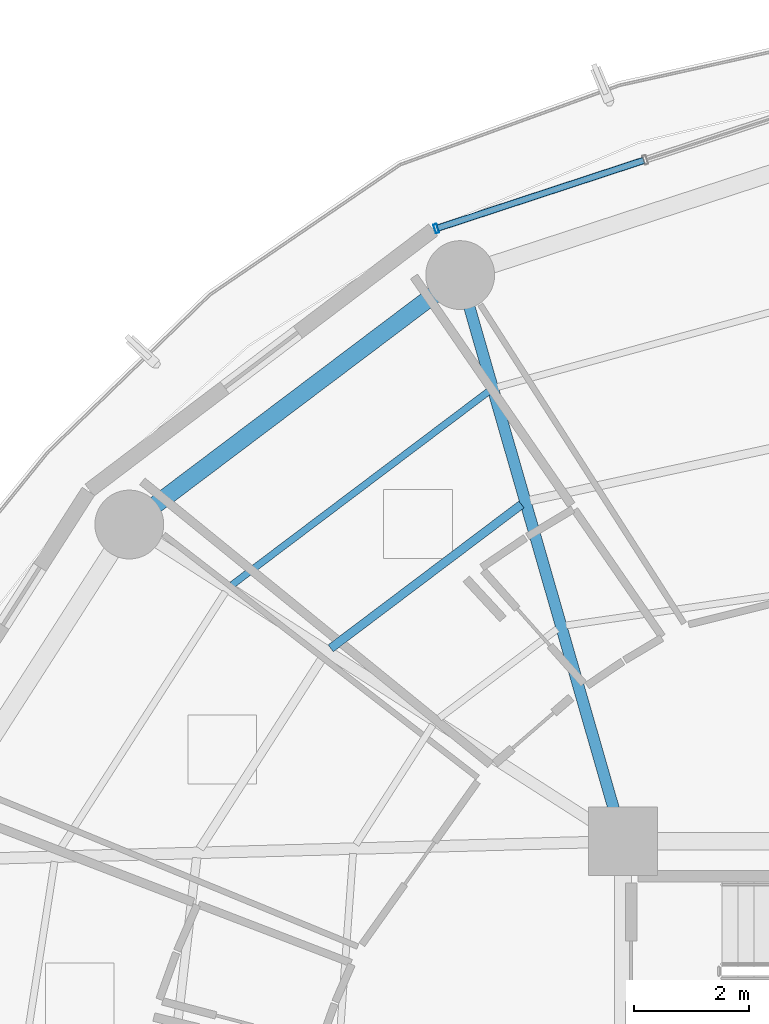
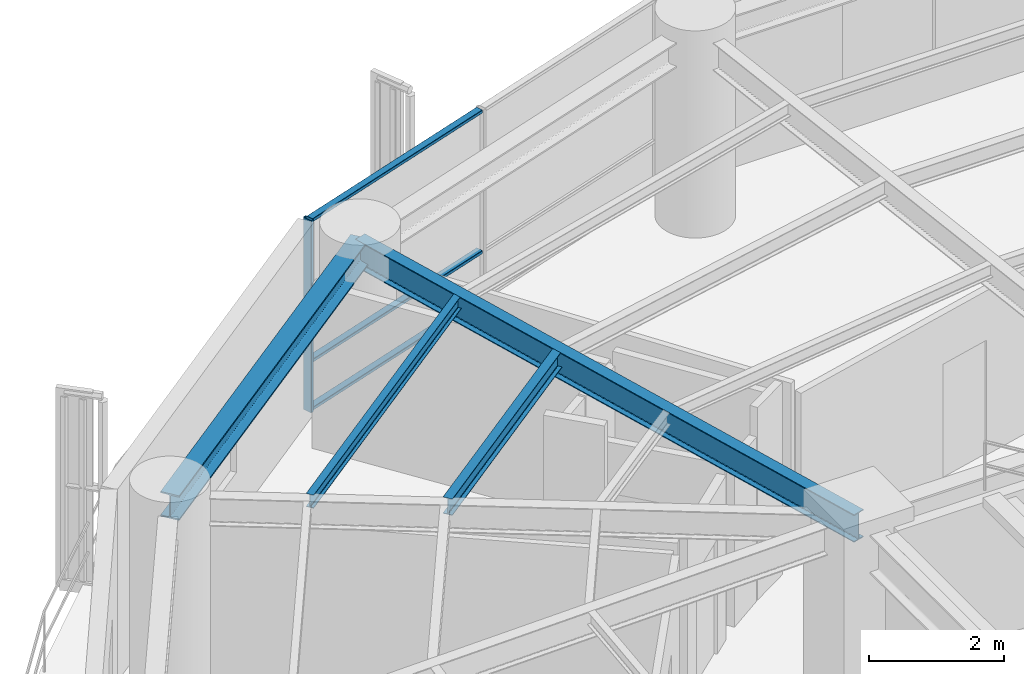
# One storey, part 16 of 27: 4 beams, 4 members, 1 element without a shape of its own.
"""IFC4 building model written with IfcOpenShell, lengths in metres."""

from ifc_helpers import new_model, si_unit, direction, frame, origin, origin_2d, place, context, subcontext, project, spatial, hollow_rectangle, i_section, extrude, material, layer, layer_set, material_profile, profile_set, type_object, element, aggregate, save


model = new_model("IFC4")

# Units and contexts
model_context = context("Model", 3, precision=1e-05, world=origin(), true_north=direction((0.0, 1.0)))
body_context = subcontext(model_context, "Body", "Model", "MODEL_VIEW")
ifc_project = project(units=[si_unit("LENGTHUNIT", "METRE"), si_unit("AREAUNIT", "SQUARE_METRE"), si_unit("VOLUMEUNIT", "CUBIC_METRE"), si_unit("PLANEANGLEUNIT", "RADIAN"), si_unit("MASSUNIT", "GRAM", prefix="KILO")], contexts=[model_context])

# Site, building, storey
site_placement = place(None, origin())
site = spatial("IfcSite", under=ifc_project, at=site_placement, CompositionType="ELEMENT")
building_placement = place(site_placement, origin())
building = spatial("IfcBuilding", under=site, at=building_placement, Name="Kelanora Arch Commons", CompositionType="ELEMENT")
storey_placement = place(building_placement, frame((0.0, 0.0, 165.60009765625)))
storey = spatial("IfcBuildingStorey", under=building, at=storey_placement, Name="L42", CompositionType="ELEMENT", Elevation=165.60009765625)

# Beams
ifc_material_1 = material(Name="Steel S355", Category="steel")
ifc_material_profile_1 = material_profile(ifc_material_1, i_section(OverallWidth=0.14990234375, OverallDepth=0.300048828125, WebThickness=0.007080078125, FlangeThickness=0.0107421875, FilletRadius=0.014892578125, at=origin_2d()), Name="IPE300")
ifc_profile_set_1 = profile_set([ifc_material_profile_1], Name="Steel S355")
beam_type_1 = type_object("IfcBeamType", Name="BM-JST-01", PredefinedType="JOIST", material=ifc_profile_set_1)
beam_1_placement = place(storey_placement, frame((64.22802734375, 70.870849609375, 3.33984375), z_axis=(-0.798463547891, -0.602043156833, 0.0), x_axis=(0.602043156833, -0.798463547891, 0.0)))
element("IfcBeam", 1, at=beam_1_placement, inside=storey, type_object=beam_type_1, Name="Secondary Chord Joist BJB-12 L42", PredefinedType="JOIST", context=body_context, shape_type="SweptSolid", body=[
    extrude(i_section(OverallWidth=0.14990234375, OverallDepth=0.300048828125, WebThickness=0.007080078125, FlangeThickness=0.0107421875, FilletRadius=0.014892578125, at=origin_2d()), origin(), (0.0, 0.0, 1.0), 4.163818359375),
])
ifc_material_profile_2 = material_profile(ifc_material_1, i_section(OverallWidth=0.1201171875, OverallDepth=0.239990234375, WebThickness=0.006103515625, FlangeThickness=0.009765625, FilletRadius=0.014892578125, at=origin_2d()), Name="IPE240")
ifc_profile_set_2 = profile_set([ifc_material_profile_2], Name="Steel S355")
beam_type_2 = type_object("IfcBeamType", Name="BM-JST-02", PredefinedType="JOIST", material=ifc_profile_set_2)
beam_2_placement = place(storey_placement, frame((63.66015625, 72.844970703125, 3.369873046875), z_axis=(-0.798493128577, -0.602003923256, 0.0), x_axis=(0.602003923256, -0.798493128577, 0.0)))
element("IfcBeam", 2, at=beam_2_placement, inside=storey, type_object=beam_type_2, Name="Secondary Chord Joist BJC-12 L42", PredefinedType="JOIST", context=body_context, shape_type="SweptSolid", body=[
    extrude(i_section(OverallWidth=0.1201171875, OverallDepth=0.239990234375, WebThickness=0.006103515625, FlangeThickness=0.009765625, FilletRadius=0.014892578125, at=origin_2d()), origin(), (0.0, 0.0, 1.0), 5.608642578125),
])
ifc_material_profile_3 = material_profile(ifc_material_1, i_section(OverallWidth=0.199951171875, OverallDepth=0.5, WebThickness=0.01025390625, FlangeThickness=0.01611328125, FilletRadius=0.02099609375, at=origin_2d()), Name="IPE500")
ifc_profile_set_3 = profile_set([ifc_material_profile_3], Name="Steel S355")
beam_type_3 = type_object("IfcBeamType", Name="BM-RAD-Z3", PredefinedType="BEAM", material=ifc_profile_set_3)
beam_3_placement = place(storey_placement, frame((66.0, 65.0, 3.239990234375), z_axis=(-0.276525880065, 0.961006471182, 0.0), x_axis=(-0.961006471182, -0.276525880065, 0.0)))
element("IfcBeam", 3, at=beam_3_placement, inside=storey, type_object=beam_type_3, Name="Radial Floor Girder BR-12 L42", PredefinedType="BEAM", context=body_context, shape_type="SweptSolid", body=[
    extrude(i_section(OverallWidth=0.199951171875, OverallDepth=0.5, WebThickness=0.01025390625, FlangeThickness=0.01611328125, FilletRadius=0.02099609375, at=origin_2d()), origin(), (0.0, 0.0, 1.0), 10.2705078125),
])
ifc_material_profile_4 = material_profile(ifc_material_1, i_section(OverallWidth=0.300048828125, OverallDepth=0.449951171875, WebThickness=0.013916015625, FlangeThickness=0.02587890625, FilletRadius=0.027099609375, at=origin_2d()), Name="HEB450")
ifc_profile_set_4 = profile_set([ifc_material_profile_4], Name="Steel S355")
beam_type_4 = type_object("IfcBeamType", Name="BM-SPN-Z3", PredefinedType="SPANDREL", material=ifc_profile_set_4)
beam_4_placement = place(storey_placement, frame((63.159912109375, 74.8701171875, 3.264892578125), z_axis=(-0.798484645564, -0.60201517489, 0.0), x_axis=(0.60201517489, -0.798484645564, 0.0)))
element("IfcBeam", 4, at=beam_4_placement, inside=storey, type_object=beam_type_4, Name="Perimeter Spandrel Beam BS-12 L42", PredefinedType="SPANDREL", context=body_context, shape_type="SweptSolid", body=[
    extrude(i_section(OverallWidth=0.300048828125, OverallDepth=0.449951171875, WebThickness=0.013916015625, FlangeThickness=0.02587890625, FilletRadius=0.027099609375, at=origin_2d()), origin(), (0.0, 0.0, 1.0), 7.223388671875),
])

# Curtain wall, members
ifc_material_2 = material(Name="Terracotta ceramic-fritted low-E glass and aluminium", Category="masonry")
ifc_layer = layer(ifc_material_2, 0.175048828125)
ifc_layer_set = layer_set([ifc_layer], Name="Terracotta ceramic-fritted low-E glass and aluminium")
curtain_wall_type = type_object("IfcCurtainWallType", Name="CW-SYS-02", PredefinedType="NOTDEFINED", material=ifc_layer_set)
curtain_wall_placement = place(storey_placement, origin())
curtain_wall = element("IfcCurtainWall", 5, at=curtain_wall_placement, inside=storey, type_object=curtain_wall_type, Name="Unitised Curtain Wall L42-B05", PredefinedType="NOTDEFINED")
ifc_material_3 = material(Name="Powder-coated aluminium terracotta", Category="masonry")
ifc_material_profile_5 = material_profile(ifc_material_3, hollow_rectangle(XDim=0.159912109375, YDim=0.06005859375, WallThickness=0.0048828125, InnerFilletRadius=0.0048828125, OuterFilletRadius=0.010009765625, at=origin_2d()), Name="CWM160x60")
ifc_profile_set_5 = profile_set([ifc_material_profile_5], Name="Powder-coated aluminium terracotta")
member_type_1 = type_object("IfcMemberType", Name="CWM-STD", PredefinedType="MULLION", material=ifc_profile_set_5)
member_1_placement = place(storey_placement, frame((62.742919921875, 75.680908203125, 0.0), z_axis=(0.0, 0.0, 1.0), x_axis=(0.312128279571, -0.95003996605, 0.0)))
member_1 = element("IfcMember", 6, at=member_1_placement, type_object=member_type_1, Name="CW-02 mullion 3", PredefinedType="MULLION", context=body_context, shape_type="SweptSolid", body=[
    extrude(hollow_rectangle(XDim=0.159912109375, YDim=0.06005859375, WallThickness=0.0048828125, InnerFilletRadius=0.0048828125, OuterFilletRadius=0.010009765625, at=origin_2d()), origin(), (0.0, 0.0, 1.0), 3.474853515625),
])
ifc_material_profile_6 = material_profile(ifc_material_3, hollow_rectangle(XDim=0.1201171875, YDim=0.06005859375, WallThickness=0.0048828125, InnerFilletRadius=0.0048828125, OuterFilletRadius=0.010009765625, at=origin_2d()), Name="CWT120x60")
ifc_profile_set_6 = profile_set([ifc_material_profile_6], Name="Powder-coated aluminium terracotta")
member_type_2 = type_object("IfcMemberType", Name="CWT-STD", PredefinedType="USERDEFINED", material=ifc_profile_set_6)
member_2_placement = place(storey_placement, frame((66.359375, 76.869140625, 0.02978515625), z_axis=(-0.950051191155, -0.312094111104, 0.0), x_axis=(0.312094111104, -0.950051191155, 0.0)))
member_2 = element("IfcMember", 7, at=member_2_placement, type_object=member_type_2, Name="CW-02 transom 2.1", ObjectType="TRANSOM", PredefinedType="USERDEFINED", context=body_context, shape_type="SweptSolid", body=[
    extrude(hollow_rectangle(XDim=0.1201171875, YDim=0.06005859375, WallThickness=0.0048828125, InnerFilletRadius=0.0048828125, OuterFilletRadius=0.010009765625, at=origin_2d()), origin(), (0.0, 0.0, 1.0), 3.77685546875),
])
member_3_placement = place(storey_placement, frame((66.359375, 76.869140625, 0.89990234375), z_axis=(-0.950051191155, -0.312094111104, 0.0), x_axis=(0.312094111104, -0.950051191155, 0.0)))
member_3 = element("IfcMember", 8, at=member_3_placement, type_object=member_type_2, Name="CW-02 transom 2.2", ObjectType="TRANSOM", PredefinedType="USERDEFINED", context=body_context, shape_type="SweptSolid", body=[
    extrude(hollow_rectangle(XDim=0.1201171875, YDim=0.06005859375, WallThickness=0.0048828125, InnerFilletRadius=0.0048828125, OuterFilletRadius=0.010009765625, at=origin_2d()), origin(), (0.0, 0.0, 1.0), 3.77685546875),
])
member_4_placement = place(storey_placement, frame((66.359375, 76.869140625, 3.44482421875), z_axis=(-0.950051191155, -0.312094111104, 0.0), x_axis=(0.312094111104, -0.950051191155, 0.0)))
member_4 = element("IfcMember", 9, at=member_4_placement, type_object=member_type_2, Name="CW-02 transom 2.3", ObjectType="TRANSOM", PredefinedType="USERDEFINED", context=body_context, shape_type="SweptSolid", body=[
    extrude(hollow_rectangle(XDim=0.1201171875, YDim=0.06005859375, WallThickness=0.0048828125, InnerFilletRadius=0.0048828125, OuterFilletRadius=0.010009765625, at=origin_2d()), origin(), (0.0, 0.0, 1.0), 3.77685546875),
])
aggregate(curtain_wall, [member_1, member_2, member_3, member_4])

save(model, "model.ifc")
